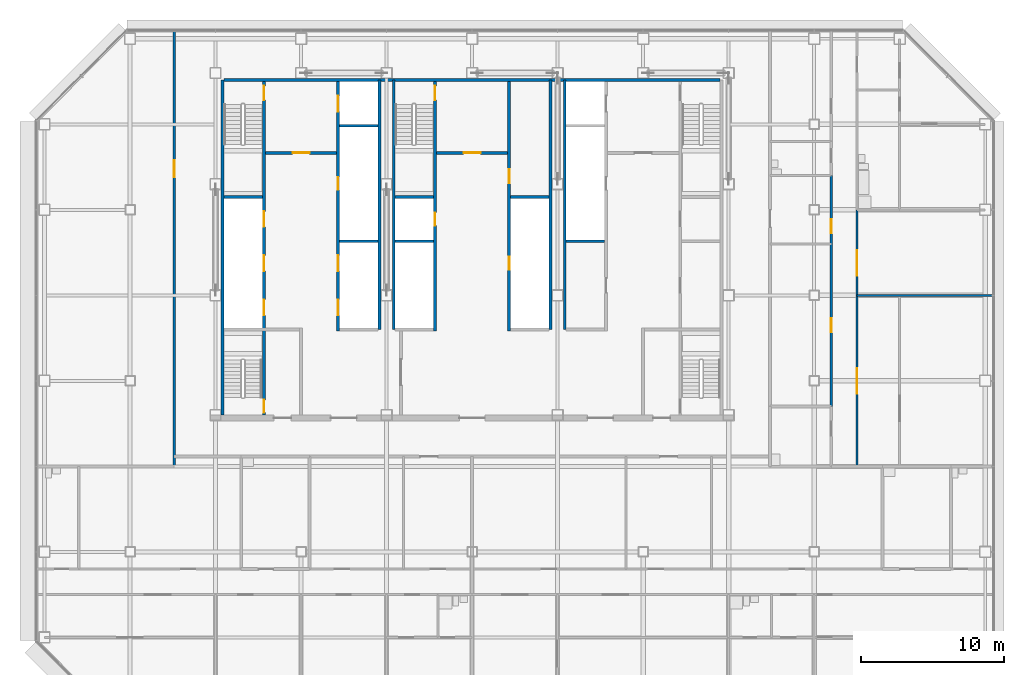
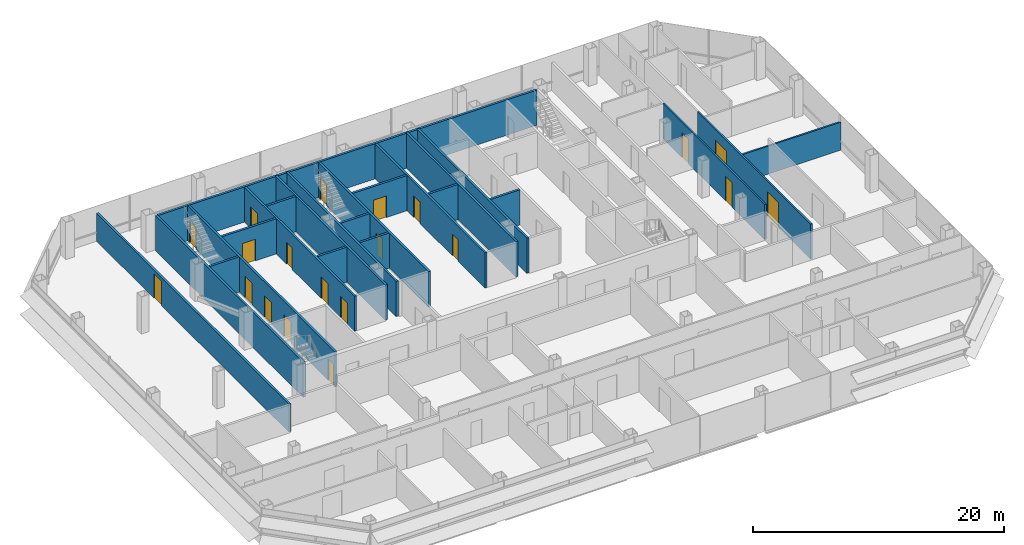
# One storey, part 21 of 25: 23 walls, 20 doors, 20 openings.
"""IFC4 building model written with IfcOpenShell, lengths in metres."""

from ifc_helpers import new_model, si_unit, direction, frame, frame_2d, origin, place, context, subcontext, project, spatial, rectangle, extrude, material, layer, layer_set, type_object, element, fill, save


model = new_model("IFC4")

# Units and contexts
model_context = context("Model", 3, precision=1e-05, world=origin(), true_north=direction((0.0, 1.0)))
body_context = subcontext(model_context, "Body", "Model", "MODEL_VIEW")
ifc_project = project(units=[si_unit("LENGTHUNIT", "METRE"), si_unit("AREAUNIT", "SQUARE_METRE"), si_unit("VOLUMEUNIT", "CUBIC_METRE"), si_unit("PLANEANGLEUNIT", "RADIAN"), si_unit("MASSUNIT", "GRAM", prefix="KILO")], contexts=[model_context])

# Site, building, storey
site_placement = place(None, origin())
site = spatial("IfcSite", under=ifc_project, at=site_placement, CompositionType="ELEMENT")
building_placement = place(site_placement, origin())
building = spatial("IfcBuilding", under=site, at=building_placement, Name="Sorahane Residences", CompositionType="ELEMENT")
storey_placement = place(building_placement, frame((0.0, 0.0, 99.800048828125)))
storey = spatial("IfcBuildingStorey", under=building, at=storey_placement, Name="L21", CompositionType="ELEMENT", Elevation=99.800048828125)

# Walls
ifc_material_1 = material(Name="Concrete C30", Category="concrete")
ifc_layer_1 = layer(ifc_material_1, 0.199951171875)
ifc_layer_set_1 = layer_set([ifc_layer_1], Name="Core face wall 200 EI 180")
wall_type_1 = type_object("IfcWallType", Name="Core face wall 200 EI 180", PredefinedType="SOLIDWALL", material=ifc_layer_set_1)
wall_1_placement = place(storey_placement, frame((6.5, 21.60009765625, 0.0), z_axis=(0.0, 0.0, 1.0), x_axis=(0.0, 1.0, 0.0)))
element("IfcWall", 1, at=wall_1_placement, inside=storey, type_object=wall_type_1, Name="L21 core face wall", PredefinedType="SOLIDWALL", context=body_context, shape_type="SweptSolid", body=[
    extrude(rectangle(XDim=23.5, YDim=0.199951171875, at=frame_2d((11.75, 0.0))), origin(), (0.0, 0.0, 1.0), 3.419921875),
])
wall_2_placement = place(storey_placement, frame((6.60009765625, 45.10009765625, 0.0), z_axis=(0.0, 0.0, 1.0), x_axis=(1.0, 0.0, 0.0)))
element("IfcWall", 2, at=wall_2_placement, inside=storey, type_object=wall_type_1, Name="L21 core face wall", PredefinedType="SOLIDWALL", context=body_context, shape_type="SweptSolid", body=[
    extrude(rectangle(XDim=34.7998046875, YDim=0.199951171875, at=frame_2d((17.39990234375, 0.0))), origin(), (0.0, 0.0, 1.0), 3.419921875),
])
for number, where, z_axis, x_axis, name in (
    (3, (17.5, 27.60009765625, 0.0), (0.0, 0.0, 1.0), (0.0, 1.0, 0.0), "L21 core face wall"),
    (4, (18.5, 27.60009765625, 0.0), (0.0, 0.0, 1.0), (0.0, 1.0, 0.0), "L21 core face wall"),
    (5, (29.5, 27.60009765625, 0.0), (0.0, 0.0, 1.0), (0.0, 1.0, 0.0), "L21 core face wall"),
    (6, (30.5, 27.60009765625, 0.0), (0.0, 0.0, 1.0), (0.0, 1.0, 0.0), "L21 core face wall"),
):
    element("IfcWall", number, at=place(storey_placement, frame(where, z_axis=z_axis, x_axis=x_axis)), inside=storey, type_object=wall_type_1, Name=name, PredefinedType="SOLIDWALL", context=body_context, shape_type="SweptSolid", body=[
        extrude(rectangle(XDim=17.5, YDim=0.199951171875, at=frame_2d((8.75, 0.0))), origin(), (0.0, 0.0, 1.0), 3.419921875),
    ])

# Wall, opening, door
ifc_material_2 = material(Name="Concrete blockwork C20 wall", Category="masonry")
ifc_layer_2 = layer(ifc_material_2, 0.199951171875)
ifc_layer_set_2 = layer_set([ifc_layer_2], Name="Corridor wall 200 EI 120")
wall_type_2 = type_object("IfcWallType", Name="Corridor wall 200 EI 120", PredefinedType="SOLIDWALL", material=ifc_layer_set_2)
wall_3_placement = place(storey_placement, frame((3.10009765625, 18.0, 0.0), z_axis=(0.0, 0.0, 1.0), x_axis=(0.0, 1.0, 0.0)))
wall_3 = element("IfcWall", 7, at=wall_3_placement, inside=storey, type_object=wall_type_2, Name="L21 corridor wall", PredefinedType="SOLIDWALL", context=body_context, shape_type="SweptSolid", body=[
    extrude(rectangle(XDim=30.60009765625, YDim=0.199951171875, at=frame_2d((15.300048828125, 0.0))), origin(), (0.0, 0.0, 1.0), 2.719970703125),
])
opening_1_placement = place(wall_3_placement, frame((20.27001953125, 0.0, 0.0)))
opening_1 = element("IfcOpeningElement", 8, at=opening_1_placement, cuts=wall_3, Name="Opening L21-41", PredefinedType="OPENING", context=body_context, shape_type="SweptSolid", body=[
    extrude(rectangle(XDim=1.199951171875, YDim=2.39990234375, at=frame_2d((0.60009765625, 1.199951171875))), frame((0.0, 0.10986328125, 0.0), z_axis=(0.0, -1.0, 0.0), x_axis=(1.0, 0.0, 0.0)), (0.0, 0.0, 1.0), 0.219970703125),
])
ifc_material_3 = material(Name="Steel", Category="steel")
door_type_1 = type_object("IfcDoorType", Name="Lobby door 1200x2400 FD60", OperationType="NOTDEFINED", PredefinedType="DOOR", material=ifc_material_3)
door_1_placement = place(opening_1_placement, origin())
door_1 = element("IfcDoor", 9, at=door_1_placement, inside=storey, type_object=door_type_1, Name="Lobby door L21-41", OperationType="SINGLE_SWING_LEFT", OverallHeight=2.39990234375, OverallWidth=1.199951171875, PredefinedType="DOOR", context=body_context, shape_type="SweptSolid", body=[
    extrude(rectangle(XDim=1.199951171875, YDim=2.39990234375, at=frame_2d((0.60009765625, 1.199951171875))), frame((0.0, 0.02490234375, 0.0), z_axis=(0.0, -1.0, 0.0), x_axis=(1.0, 0.0, 0.0)), (0.0, 0.0, 1.0), 0.050048828125),
])
fill(opening_1, door_1)

ifc_material_4 = material(Name="Concrete C30", Category="concrete")
ifc_layer_3 = layer(ifc_material_4, 0.199951171875)
ifc_layer_set_3 = layer_set([ifc_layer_3], Name="Front room wall 200 EI 120")
wall_type_3 = type_object("IfcWallType", Name="Front room wall 200 EI 120", PredefinedType="PARTITIONING", material=ifc_layer_set_3)
wall_4_placement = place(storey_placement, frame((21.5, 40.0, 0.0), z_axis=(0.0, 0.0, 1.0), x_axis=(1.0, 0.0, 0.0)))
wall_4 = element("IfcWall", 10, at=wall_4_placement, inside=storey, type_object=wall_type_3, Name="L21 front room wall", PredefinedType="PARTITIONING", context=body_context, shape_type="SweptSolid", body=[
    extrude(rectangle(XDim=5.0, YDim=0.199951171875, at=frame_2d((2.5, 0.0))), origin(), (0.0, 0.0, 1.0), 3.419921875),
])
opening_2_placement = place(wall_4_placement, frame((1.89990234375, 0.0, 0.0)))
opening_2 = element("IfcOpeningElement", 11, at=opening_2_placement, cuts=wall_4, Name="Opening L21-C08", PredefinedType="OPENING", context=body_context, shape_type="SweptSolid", body=[
    extrude(rectangle(XDim=1.199951171875, YDim=2.10009765625, at=frame_2d((0.60009765625, 1.050048828125))), frame((0.0, 0.10986328125, 0.0), z_axis=(0.0, -1.0, 0.0), x_axis=(1.0, 0.0, 0.0)), (0.0, 0.0, 1.0), 0.219970703125),
])
ifc_material_5 = material(Name="Steel", Category="steel")
door_type_2 = type_object("IfcDoorType", Name="Front room door 1200x2100 FD120", OperationType="NOTDEFINED", PredefinedType="DOOR", material=ifc_material_5)
door_2_placement = place(opening_2_placement, frame((1.199951171875, 0.0, 0.0), z_axis=(0.0, 0.0, 1.0), x_axis=(-1.0, 0.0, 0.0)))
door_2 = element("IfcDoor", 12, at=door_2_placement, inside=storey, type_object=door_type_2, Name="Front room door Stair S3 vestibule L21", OperationType="DOUBLE_DOOR_SINGLE_SWING", OverallHeight=2.10009765625, OverallWidth=1.199951171875, PredefinedType="DOOR", context=body_context, shape_type="SweptSolid", body=[
    extrude(rectangle(XDim=1.199951171875, YDim=2.10009765625, at=frame_2d((0.60009765625, 1.050048828125))), frame((0.0, 0.02490234375, 0.0), z_axis=(0.0, -1.0, 0.0), x_axis=(1.0, 0.0, 0.0)), (0.0, 0.0, 1.0), 0.050048828125),
])
fill(opening_2, door_2)

wall_5_placement = place(storey_placement, frame((9.5, 40.0, 0.0), z_axis=(0.0, 0.0, 1.0), x_axis=(1.0, 0.0, 0.0)))
wall_5 = element("IfcWall", 13, at=wall_5_placement, inside=storey, type_object=wall_type_3, Name="L21 front room wall", PredefinedType="PARTITIONING", context=body_context, shape_type="SweptSolid", body=[
    extrude(rectangle(XDim=5.0, YDim=0.199951171875, at=frame_2d((2.5, 0.0))), origin(), (0.0, 0.0, 1.0), 3.419921875),
])
opening_3_placement = place(wall_5_placement, frame((1.89990234375, 0.0, 0.0)))
opening_3 = element("IfcOpeningElement", 14, at=opening_3_placement, cuts=wall_5, Name="Opening L21-C07", PredefinedType="OPENING", context=body_context, shape_type="SweptSolid", body=[
    extrude(rectangle(XDim=1.199951171875, YDim=2.10009765625, at=frame_2d((0.60009765625, 1.050048828125))), frame((0.0, 0.10986328125, 0.0), z_axis=(0.0, -1.0, 0.0), x_axis=(1.0, 0.0, 0.0)), (0.0, 0.0, 1.0), 0.219970703125),
])
door_3_placement = place(opening_3_placement, frame((1.199951171875, 0.0, 0.0), z_axis=(0.0, 0.0, 1.0), x_axis=(-1.0, 0.0, 0.0)))
door_3 = element("IfcDoor", 15, at=door_3_placement, inside=storey, type_object=door_type_2, Name="Front room door Firefighting lobby FF1 front room L21", OperationType="DOUBLE_DOOR_SINGLE_SWING", OverallHeight=2.10009765625, OverallWidth=1.199951171875, PredefinedType="DOOR", context=body_context, shape_type="SweptSolid", body=[
    extrude(rectangle(XDim=1.199951171875, YDim=2.10009765625, at=frame_2d((0.60009765625, 1.050048828125))), frame((0.0, 0.02490234375, 0.0), z_axis=(0.0, -1.0, 0.0), x_axis=(1.0, 0.0, 0.0)), (0.0, 0.0, 1.0), 0.050048828125),
])
fill(opening_3, door_3)

# Wall, openings, doors
ifc_material_6 = material(Name="Concrete C30", Category="concrete")
ifc_layer_4 = layer(ifc_material_6, 0.199951171875)
ifc_layer_set_4 = layer_set([ifc_layer_4], Name="Lift shaft wall 200 EI 120")
wall_type_4 = type_object("IfcWallType", Name="Lift shaft wall 200 EI 120", PredefinedType="SOLIDWALL", material=ifc_layer_set_4)
wall_6_placement = place(storey_placement, frame((14.60009765625, 27.5, 0.0), z_axis=(0.0, 0.0, 1.0), x_axis=(0.0, 1.0, 0.0)))
wall_6 = element("IfcWall", 16, at=wall_6_placement, inside=storey, type_object=wall_type_4, Name="L21 lift shaft wall", PredefinedType="SOLIDWALL", context=body_context, shape_type="SweptSolid", body=[
    extrude(rectangle(XDim=17.5, YDim=0.199951171875, at=frame_2d((8.75, 0.0))), origin(), (0.0, 0.0, 1.0), 3.419921875),
])
opening_4_placement = place(wall_6_placement, frame((1.10009765625, 0.0, 0.0)))
opening_4 = element("IfcOpeningElement", 17, at=opening_4_placement, cuts=wall_6, Name="Opening L21-C11", PredefinedType="OPENING", context=body_context, shape_type="SweptSolid", body=[
    extrude(rectangle(XDim=1.10009765625, YDim=2.10009765625, at=frame_2d((0.550048828125, 1.050048828125))), frame((0.0, 0.10986328125, 0.0), z_axis=(0.0, -1.0, 0.0), x_axis=(1.0, 0.0, 0.0)), (0.0, 0.0, 1.0), 0.219970703125),
])
opening_5_placement = place(wall_6_placement, frame((4.199951171875, 0.0, 0.0)))
opening_5 = element("IfcOpeningElement", 18, at=opening_5_placement, cuts=wall_6, Name="Opening L21-C12", PredefinedType="OPENING", context=body_context, shape_type="SweptSolid", body=[
    extrude(rectangle(XDim=1.10009765625, YDim=2.10009765625, at=frame_2d((0.550048828125, 1.050048828125))), frame((0.0, 0.10986328125, 0.0), z_axis=(0.0, -1.0, 0.0), x_axis=(1.0, 0.0, 0.0)), (0.0, 0.0, 1.0), 0.219970703125),
])
opening_6_placement = place(wall_6_placement, frame((15.39990234375, 0.0, 0.0)))
opening_6 = element("IfcOpeningElement", 19, at=opening_6_placement, cuts=wall_6, Name="Opening L21-C13", PredefinedType="OPENING", context=body_context, shape_type="SweptSolid", body=[
    extrude(rectangle(XDim=1.10009765625, YDim=2.10009765625, at=frame_2d((0.550048828125, 1.050048828125))), frame((0.0, 0.10986328125, 0.0), z_axis=(0.0, -1.0, 0.0), x_axis=(1.0, 0.0, 0.0)), (0.0, 0.0, 1.0), 0.219970703125),
])
opening_7_placement = place(wall_6_placement, frame((9.89990234375, 0.0, 0.0)))
opening_7 = element("IfcOpeningElement", 20, at=opening_7_placement, cuts=wall_6, Name="Opening L21-C25", PredefinedType="OPENING", context=body_context, shape_type="SweptSolid", body=[
    extrude(rectangle(XDim=0.89990234375, YDim=2.10009765625, at=frame_2d((0.449951171875, 1.050048828125))), frame((0.0, 0.10986328125, 0.0), z_axis=(0.0, -1.0, 0.0), x_axis=(1.0, 0.0, 0.0)), (0.0, 0.0, 1.0), 0.219970703125),
])
ifc_material_7 = material(Name="Aluminium and stainless steel", Category="steel")
door_type_3 = type_object("IfcDoorType", Name="Lift landing door 1100x2100 E 60", OperationType="NOTDEFINED", PredefinedType="DOOR", material=ifc_material_7)
door_4_placement = place(opening_4_placement, origin())
door_4 = element("IfcDoor", 21, at=door_4_placement, inside=storey, type_object=door_type_3, Name="Lift landing door LR4 L21", OperationType="DOUBLE_DOOR_SLIDING", OverallHeight=2.10009765625, OverallWidth=1.10009765625, PredefinedType="DOOR", context=body_context, shape_type="SweptSolid", body=[
    extrude(rectangle(XDim=1.10009765625, YDim=2.10009765625, at=frame_2d((0.550048828125, 1.050048828125))), frame((0.0, 0.02490234375, 0.0), z_axis=(0.0, -1.0, 0.0), x_axis=(1.0, 0.0, 0.0)), (0.0, 0.0, 1.0), 0.050048828125),
])
fill(opening_4, door_4)
door_5_placement = place(opening_5_placement, origin())
door_5 = element("IfcDoor", 22, at=door_5_placement, inside=storey, type_object=door_type_3, Name="Lift landing door LR5 L21", OperationType="DOUBLE_DOOR_SLIDING", OverallHeight=2.10009765625, OverallWidth=1.10009765625, PredefinedType="DOOR", context=body_context, shape_type="SweptSolid", body=[
    extrude(rectangle(XDim=1.10009765625, YDim=2.10009765625, at=frame_2d((0.550048828125, 1.050048828125))), frame((0.0, 0.02490234375, 0.0), z_axis=(0.0, -1.0, 0.0), x_axis=(1.0, 0.0, 0.0)), (0.0, 0.0, 1.0), 0.050048828125),
])
fill(opening_5, door_5)
door_6_placement = place(opening_6_placement, origin())
door_6 = element("IfcDoor", 23, at=door_6_placement, inside=storey, type_object=door_type_3, Name="Lift landing door FF1 L21", OperationType="DOUBLE_DOOR_SLIDING", OverallHeight=2.10009765625, OverallWidth=1.10009765625, PredefinedType="DOOR", context=body_context, shape_type="SweptSolid", body=[
    extrude(rectangle(XDim=1.10009765625, YDim=2.10009765625, at=frame_2d((0.550048828125, 1.050048828125))), frame((0.0, 0.02490234375, 0.0), z_axis=(0.0, -1.0, 0.0), x_axis=(1.0, 0.0, 0.0)), (0.0, 0.0, 1.0), 0.050048828125),
])
fill(opening_6, door_6)
ifc_material_8 = material(Name="Steel", Category="steel")
door_type_4 = type_object("IfcDoorType", Name="Riser door 900x2100 FD120", OperationType="NOTDEFINED", PredefinedType="DOOR", material=ifc_material_8)
door_7_placement = place(opening_7_placement, origin())
door_7 = element("IfcDoor", 24, at=door_7_placement, inside=storey, type_object=door_type_4, Name="Riser door R1 L21", OperationType="SINGLE_SWING_LEFT", OverallHeight=2.10009765625, OverallWidth=0.89990234375, PredefinedType="DOOR", context=body_context, shape_type="SweptSolid", body=[
    extrude(rectangle(XDim=0.89990234375, YDim=2.10009765625, at=frame_2d((0.449951171875, 1.050048828125))), frame((0.0, 0.02490234375, 0.0), z_axis=(0.0, -1.0, 0.0), x_axis=(1.0, 0.0, 0.0)), (0.0, 0.0, 1.0), 0.050048828125),
])
fill(opening_7, door_7)

# Walls
for number, where, z_axis, x_axis, name in (
    (25, (14.699951171875, 33.800048828125, 0.0), (0.0, 0.0, 1.0), (1.0, 0.0, 0.0), "L21 lift shaft wall"),
    (26, (18.60009765625, 33.800048828125, 0.0), (0.0, 0.0, 1.0), (1.0, 0.0, 0.0), "L21 lift shaft wall"),
    (27, (14.699951171875, 41.89990234375, 0.0), (0.0, 0.0, 1.0), (1.0, 0.0, 0.0), "L21 lift shaft wall"),
):
    element("IfcWall", number, at=place(storey_placement, frame(where, z_axis=z_axis, x_axis=x_axis)), inside=storey, type_object=wall_type_4, Name=name, PredefinedType="SOLIDWALL", context=body_context, shape_type="SweptSolid", body=[
        extrude(rectangle(XDim=2.699951171875, YDim=0.199951171875, at=frame_2d((1.35009765625, 0.0))), origin(), (0.0, 0.0, 1.0), 3.419921875),
    ])

# Wall, openings, doors
ifc_material_9 = material(Name="Gypsum board partition on steel studs", Category="steel")
ifc_layer_5 = layer(ifc_material_9, 0.14990234375)
ifc_layer_set_5 = layer_set([ifc_layer_5], Name="Partition 150 EI 90")
wall_type_5 = type_object("IfcWallType", Name="Partition 150 EI 90", PredefinedType="PARTITIONING", material=ifc_layer_set_5)
wall_7_placement = place(storey_placement, frame((49.199951171875, 22.199951171875, 0.0), z_axis=(0.0, 0.0, 1.0), x_axis=(0.0, 1.0, 0.0)))
wall_7 = element("IfcWall", 28, at=wall_7_placement, inside=storey, type_object=wall_type_5, Name="L21 partition", PredefinedType="PARTITIONING", context=body_context, shape_type="SweptSolid", body=[
    extrude(rectangle(XDim=16.199951171875, YDim=0.14990234375, at=frame_2d((8.10009765625, 0.0))), origin(), (0.0, 0.0, 1.0), 3.419921875),
])
opening_8_placement = place(wall_7_placement, frame((12.14990234375, 0.0, 0.0)))
opening_8 = element("IfcOpeningElement", 29, at=opening_8_placement, cuts=wall_7, Name="Opening L21-26", PredefinedType="OPENING", context=body_context, shape_type="SweptSolid", body=[
    extrude(rectangle(XDim=1.0, YDim=2.39990234375, at=frame_2d((0.5, 1.199951171875))), frame((0.0, 0.0849609375, 0.0), z_axis=(0.0, -1.0, 0.0), x_axis=(1.0, 0.0, 0.0)), (0.0, 0.0, 1.0), 0.169921875),
])
opening_9_placement = place(wall_7_placement, frame((5.199951171875, 0.0, 0.0)))
opening_9 = element("IfcOpeningElement", 30, at=opening_9_placement, cuts=wall_7, Name="Opening L21-28", PredefinedType="OPENING", context=body_context, shape_type="SweptSolid", body=[
    extrude(rectangle(XDim=1.0, YDim=2.39990234375, at=frame_2d((0.5, 1.199951171875))), frame((0.0, 0.0849609375, 0.0), z_axis=(0.0, -1.0, 0.0), x_axis=(1.0, 0.0, 0.0)), (0.0, 0.0, 1.0), 0.169921875),
])
ifc_material_10 = material(Name="Timber veneered fire door", Category="wood")
door_type_5 = type_object("IfcDoorType", Name="Room door 1000x2400 FD30", OperationType="NOTDEFINED", PredefinedType="DOOR", material=ifc_material_10)
door_8_placement = place(opening_8_placement, frame((1.0, 0.0, 0.0), z_axis=(0.0, 0.0, 1.0), x_axis=(-1.0, 0.0, 0.0)))
door_8 = element("IfcDoor", 31, at=door_8_placement, inside=storey, type_object=door_type_5, Name="Room door L21-26", OperationType="SINGLE_SWING_LEFT", OverallHeight=2.39990234375, OverallWidth=1.0, PredefinedType="DOOR", context=body_context, shape_type="SweptSolid", body=[
    extrude(rectangle(XDim=1.0, YDim=2.39990234375, at=frame_2d((0.5, 1.199951171875))), frame((0.0, 0.02490234375, 0.0), z_axis=(0.0, -1.0, 0.0), x_axis=(1.0, 0.0, 0.0)), (0.0, 0.0, 1.0), 0.050048828125),
])
fill(opening_8, door_8)
door_9_placement = place(opening_9_placement, origin())
door_9 = element("IfcDoor", 32, at=door_9_placement, inside=storey, type_object=door_type_5, Name="Room door L21-28", OperationType="SINGLE_SWING_RIGHT", OverallHeight=2.39990234375, OverallWidth=1.0, PredefinedType="DOOR", context=body_context, shape_type="SweptSolid", body=[
    extrude(rectangle(XDim=1.0, YDim=2.39990234375, at=frame_2d((0.5, 1.199951171875))), frame((0.0, 0.02490234375, 0.0), z_axis=(0.0, -1.0, 0.0), x_axis=(1.0, 0.0, 0.0)), (0.0, 0.0, 1.0), 0.050048828125),
])
fill(opening_9, door_9)

wall_8_placement = place(storey_placement, frame((51.0, 18.0, 0.0), z_axis=(0.0, 0.0, 1.0), x_axis=(0.0, 1.0, 0.0)))
wall_8 = element("IfcWall", 33, at=wall_8_placement, inside=storey, type_object=wall_type_5, Name="L21 partition", PredefinedType="PARTITIONING", context=body_context, shape_type="SweptSolid", body=[
    extrude(rectangle(XDim=18.0, YDim=0.14990234375, at=frame_2d((9.0, 0.0))), origin(), (0.0, 0.0, 1.0), 3.419921875),
])
opening_10_placement = place(wall_8_placement, frame((5.10009765625, 0.0, 0.0)))
opening_10 = element("IfcOpeningElement", 34, at=opening_10_placement, cuts=wall_8, Name="Opening L21-31", PredefinedType="OPENING", context=body_context, shape_type="SweptSolid", body=[
    extrude(rectangle(XDim=1.800048828125, YDim=2.39990234375, at=frame_2d((0.89990234375, 1.199951171875))), frame((0.0, 0.0849609375, 0.0), z_axis=(0.0, -1.0, 0.0), x_axis=(1.0, 0.0, 0.0)), (0.0, 0.0, 1.0), 0.169921875),
])
opening_11_placement = place(wall_8_placement, frame((13.360107421875, 0.0, 0.0)))
opening_11 = element("IfcOpeningElement", 35, at=opening_11_placement, cuts=wall_8, Name="Opening L21-32", PredefinedType="OPENING", context=body_context, shape_type="SweptSolid", body=[
    extrude(rectangle(XDim=1.800048828125, YDim=2.39990234375, at=frame_2d((0.89990234375, 1.199951171875))), frame((0.0, 0.0849609375, 0.0), z_axis=(0.0, -1.0, 0.0), x_axis=(1.0, 0.0, 0.0)), (0.0, 0.0, 1.0), 0.169921875),
])
ifc_material_11 = material(Name="Timber veneered fire door", Category="wood")
door_type_6 = type_object("IfcDoorType", Name="Double door 1800x2400 FD30", OperationType="NOTDEFINED", PredefinedType="DOOR", material=ifc_material_11)
door_10_placement = place(opening_10_placement, frame((1.800048828125, 0.0, 0.0), z_axis=(0.0, 0.0, 1.0), x_axis=(-1.0, 0.0, 0.0)))
door_10 = element("IfcDoor", 36, at=door_10_placement, inside=storey, type_object=door_type_6, Name="Double door L21-31", OperationType="SINGLE_SWING_RIGHT", OverallHeight=2.39990234375, OverallWidth=1.800048828125, PredefinedType="DOOR", context=body_context, shape_type="SweptSolid", body=[
    extrude(rectangle(XDim=1.800048828125, YDim=2.39990234375, at=frame_2d((0.89990234375, 1.199951171875))), frame((0.0, 0.02490234375, 0.0), z_axis=(0.0, -1.0, 0.0), x_axis=(1.0, 0.0, 0.0)), (0.0, 0.0, 1.0), 0.050048828125),
])
fill(opening_10, door_10)
door_11_placement = place(opening_11_placement, frame((1.800048828125, 0.0, 0.0), z_axis=(0.0, 0.0, 1.0), x_axis=(-1.0, 0.0, 0.0)))
door_11 = element("IfcDoor", 37, at=door_11_placement, inside=storey, type_object=door_type_6, Name="Double door L21-32", OperationType="SINGLE_SWING_LEFT", OverallHeight=2.39990234375, OverallWidth=1.800048828125, PredefinedType="DOOR", context=body_context, shape_type="SweptSolid", body=[
    extrude(rectangle(XDim=1.800048828125, YDim=2.39990234375, at=frame_2d((0.89990234375, 1.199951171875))), frame((0.0, 0.02490234375, 0.0), z_axis=(0.0, -1.0, 0.0), x_axis=(1.0, 0.0, 0.0)), (0.0, 0.0, 1.0), 0.050048828125),
])
fill(opening_11, door_11)

# Wall
wall_9_placement = place(storey_placement, frame((51.0, 30.0, 0.0), z_axis=(0.0, 0.0, 1.0), x_axis=(1.0, 0.0, 0.0)))
element("IfcWall", 38, at=wall_9_placement, inside=storey, type_object=wall_type_5, Name="L21 partition", PredefinedType="PARTITIONING", context=body_context, shape_type="SweptSolid", body=[
    extrude(rectangle(XDim=9.60009765625, YDim=0.14990234375, at=frame_2d((4.800048828125, 0.0))), origin(), (0.0, 0.0, 1.0), 2.719970703125),
])

# Wall, openings, doors
ifc_material_12 = material(Name="Concrete C30", Category="concrete")
ifc_layer_6 = layer(ifc_material_12, 0.199951171875)
ifc_layer_set_6 = layer_set([ifc_layer_6], Name="Riser shaft wall 200 EI 120")
wall_type_6 = type_object("IfcWallType", Name="Riser shaft wall 200 EI 120", PredefinedType="SOLIDWALL", material=ifc_layer_set_6)
wall_10_placement = place(storey_placement, frame((26.60009765625, 27.5, 0.0), z_axis=(0.0, 0.0, 1.0), x_axis=(0.0, 1.0, 0.0)))
wall_10 = element("IfcWall", 39, at=wall_10_placement, inside=storey, type_object=wall_type_6, Name="L21 riser wall", PredefinedType="SOLIDWALL", context=body_context, shape_type="SweptSolid", body=[
    extrude(rectangle(XDim=17.5, YDim=0.199951171875, at=frame_2d((8.75, 0.0))), origin(), (0.0, 0.0, 1.0), 3.419921875),
])
opening_12_placement = place(wall_10_placement, frame((4.300048828125, 0.0, 0.0)))
opening_12 = element("IfcOpeningElement", 40, at=opening_12_placement, cuts=wall_10, Name="Opening L21-C28", PredefinedType="OPENING", context=body_context, shape_type="SweptSolid", body=[
    extrude(rectangle(XDim=0.89990234375, YDim=2.10009765625, at=frame_2d((0.449951171875, 1.050048828125))), frame((0.0, 0.10986328125, 0.0), z_axis=(0.0, -1.0, 0.0), x_axis=(1.0, 0.0, 0.0)), (0.0, 0.0, 1.0), 0.219970703125),
])
opening_13_placement = place(wall_10_placement, frame((10.35009765625, 0.0, 0.0)))
opening_13 = element("IfcOpeningElement", 41, at=opening_13_placement, cuts=wall_10, Name="Opening L21-C29", PredefinedType="OPENING", context=body_context, shape_type="SweptSolid", body=[
    extrude(rectangle(XDim=1.0, YDim=2.10009765625, at=frame_2d((0.5, 1.050048828125))), frame((0.0, 0.10986328125, 0.0), z_axis=(0.0, -1.0, 0.0), x_axis=(1.0, 0.0, 0.0)), (0.0, 0.0, 1.0), 0.219970703125),
])
door_12_placement = place(opening_12_placement, origin())
door_12 = element("IfcDoor", 42, at=door_12_placement, inside=storey, type_object=door_type_4, Name="Riser door R4 L21", OperationType="SINGLE_SWING_LEFT", OverallHeight=2.10009765625, OverallWidth=0.89990234375, PredefinedType="DOOR", context=body_context, shape_type="SweptSolid", body=[
    extrude(rectangle(XDim=0.89990234375, YDim=2.10009765625, at=frame_2d((0.449951171875, 1.050048828125))), frame((0.0, 0.02490234375, 0.0), z_axis=(0.0, -1.0, 0.0), x_axis=(1.0, 0.0, 0.0)), (0.0, 0.0, 1.0), 0.050048828125),
])
fill(opening_12, door_12)
ifc_material_13 = material(Name="Steel", Category="steel")
door_type_7 = type_object("IfcDoorType", Name="Service room door 1000x2100 FD60", OperationType="NOTDEFINED", PredefinedType="DOOR", material=ifc_material_13)
door_13_placement = place(opening_13_placement, frame((1.0, 0.0, 0.0), z_axis=(0.0, 0.0, 1.0), x_axis=(-1.0, 0.0, 0.0)))
door_13 = element("IfcDoor", 43, at=door_13_placement, inside=storey, type_object=door_type_7, Name="Service room door Housekeeping store L21", OperationType="SINGLE_SWING_LEFT", OverallHeight=2.10009765625, OverallWidth=1.0, PredefinedType="DOOR", context=body_context, shape_type="SweptSolid", body=[
    extrude(rectangle(XDim=1.0, YDim=2.10009765625, at=frame_2d((0.5, 1.050048828125))), frame((0.0, 0.02490234375, 0.0), z_axis=(0.0, -1.0, 0.0), x_axis=(1.0, 0.0, 0.0)), (0.0, 0.0, 1.0), 0.050048828125),
])
fill(opening_13, door_13)

# Walls
for number, where, z_axis, x_axis, name in (
    (44, (30.60009765625, 33.800048828125, 0.0), (0.0, 0.0, 1.0), (1.0, 0.0, 0.0), "L21 riser wall"),
    (45, (26.699951171875, 36.89990234375, 0.0), (0.0, 0.0, 1.0), (1.0, 0.0, 0.0), "L21 riser wall"),
):
    element("IfcWall", number, at=place(storey_placement, frame(where, z_axis=z_axis, x_axis=x_axis)), inside=storey, type_object=wall_type_6, Name=name, PredefinedType="SOLIDWALL", context=body_context, shape_type="SweptSolid", body=[
        extrude(rectangle(XDim=2.699951171875, YDim=0.199951171875, at=frame_2d((1.35009765625, 0.0))), origin(), (0.0, 0.0, 1.0), 3.419921875),
    ])

# Wall, openings, doors
ifc_material_14 = material(Name="Concrete C30", Category="concrete")
ifc_layer_7 = layer(ifc_material_14, 0.199951171875)
ifc_layer_set_7 = layer_set([ifc_layer_7], Name="Stair enclosure wall 200 EI 120")
wall_type_7 = type_object("IfcWallType", Name="Stair enclosure wall 200 EI 120", PredefinedType="SOLIDWALL", material=ifc_layer_set_7)
wall_11_placement = place(storey_placement, frame((21.39990234375, 27.5, 0.0), z_axis=(0.0, 0.0, 1.0), x_axis=(0.0, 1.0, 0.0)))
wall_11 = element("IfcWall", 46, at=wall_11_placement, inside=storey, type_object=wall_type_7, Name="L21 stair enclosure wall", PredefinedType="SOLIDWALL", context=body_context, shape_type="SweptSolid", body=[
    extrude(rectangle(XDim=17.5, YDim=0.199951171875, at=frame_2d((8.75, 0.0))), origin(), (0.0, 0.0, 1.0), 3.419921875),
])
opening_14_placement = place(wall_11_placement, frame((16.199951171875, 0.0, 0.0)))
opening_14 = element("IfcOpeningElement", 47, at=opening_14_placement, cuts=wall_11, Name="Opening L21-C22", PredefinedType="OPENING", context=body_context, shape_type="SweptSolid", body=[
    extrude(rectangle(XDim=1.0, YDim=2.10009765625, at=frame_2d((0.5, 1.050048828125))), frame((0.0, 0.10986328125, 0.0), z_axis=(0.0, -1.0, 0.0), x_axis=(1.0, 0.0, 0.0)), (0.0, 0.0, 1.0), 0.219970703125),
])
opening_15_placement = place(wall_11_placement, frame((7.39990234375, 0.0, 0.0)))
opening_15 = element("IfcOpeningElement", 48, at=opening_15_placement, cuts=wall_11, Name="Opening L21-C27", PredefinedType="OPENING", context=body_context, shape_type="SweptSolid", body=[
    extrude(rectangle(XDim=0.89990234375, YDim=2.10009765625, at=frame_2d((0.449951171875, 1.050048828125))), frame((0.0, 0.10986328125, 0.0), z_axis=(0.0, -1.0, 0.0), x_axis=(1.0, 0.0, 0.0)), (0.0, 0.0, 1.0), 0.219970703125),
])
door_14_placement = place(opening_15_placement, frame((0.89990234375, 0.0, 0.0), z_axis=(0.0, 0.0, 1.0), x_axis=(-1.0, 0.0, 0.0)))
door_14 = element("IfcDoor", 49, at=door_14_placement, inside=storey, type_object=door_type_4, Name="Riser door R3 L21", OperationType="SINGLE_SWING_LEFT", OverallHeight=2.10009765625, OverallWidth=0.89990234375, PredefinedType="DOOR", context=body_context, shape_type="SweptSolid", body=[
    extrude(rectangle(XDim=0.89990234375, YDim=2.10009765625, at=frame_2d((0.449951171875, 1.050048828125))), frame((0.0, 0.02490234375, 0.0), z_axis=(0.0, -1.0, 0.0), x_axis=(1.0, 0.0, 0.0)), (0.0, 0.0, 1.0), 0.050048828125),
])
fill(opening_15, door_14)
ifc_material_15 = material(Name="Steel", Category="steel")
door_type_8 = type_object("IfcDoorType", Name="Stair door 1000x2100 FD120", OperationType="NOTDEFINED", PredefinedType="DOOR", material=ifc_material_15)
door_15_placement = place(opening_14_placement, origin())
door_15 = element("IfcDoor", 50, at=door_15_placement, inside=storey, type_object=door_type_8, Name="Stair door S3 L21", OperationType="SINGLE_SWING_LEFT", OverallHeight=2.10009765625, OverallWidth=1.0, PredefinedType="DOOR", context=body_context, shape_type="SweptSolid", body=[
    extrude(rectangle(XDim=1.0, YDim=2.10009765625, at=frame_2d((0.5, 1.050048828125))), frame((0.0, 0.02490234375, 0.0), z_axis=(0.0, -1.0, 0.0), x_axis=(1.0, 0.0, 0.0)), (0.0, 0.0, 1.0), 0.050048828125),
])
fill(opening_14, door_15)

wall_12_placement = place(storey_placement, frame((9.39990234375, 21.60009765625, 0.0), z_axis=(0.0, 0.0, 1.0), x_axis=(0.0, 1.0, 0.0)))
wall_12 = element("IfcWall", 51, at=wall_12_placement, inside=storey, type_object=wall_type_7, Name="L21 stair enclosure wall", PredefinedType="SOLIDWALL", context=body_context, shape_type="SweptSolid", body=[
    extrude(rectangle(XDim=23.39990234375, YDim=0.199951171875, at=frame_2d((11.699951171875, 0.0))), origin(), (0.0, 0.0, 1.0), 3.419921875),
])
opening_16_placement = place(wall_12_placement, frame((7.0, 0.0, 0.0)))
opening_16 = element("IfcOpeningElement", 52, at=opening_16_placement, cuts=wall_12, Name="Opening L21-C14", PredefinedType="OPENING", context=body_context, shape_type="SweptSolid", body=[
    extrude(rectangle(XDim=1.10009765625, YDim=2.10009765625, at=frame_2d((0.550048828125, 1.050048828125))), frame((0.0, 0.10986328125, 0.0), z_axis=(0.0, -1.0, 0.0), x_axis=(1.0, 0.0, 0.0)), (0.0, 0.0, 1.0), 0.219970703125),
])
opening_17_placement = place(wall_12_placement, frame((10.10009765625, 0.0, 0.0)))
opening_17 = element("IfcOpeningElement", 53, at=opening_17_placement, cuts=wall_12, Name="Opening L21-C15", PredefinedType="OPENING", context=body_context, shape_type="SweptSolid", body=[
    extrude(rectangle(XDim=1.10009765625, YDim=2.10009765625, at=frame_2d((0.550048828125, 1.050048828125))), frame((0.0, 0.10986328125, 0.0), z_axis=(0.0, -1.0, 0.0), x_axis=(1.0, 0.0, 0.0)), (0.0, 0.0, 1.0), 0.219970703125),
])
opening_18_placement = place(wall_12_placement, frame((13.199951171875, 0.0, 0.0)))
opening_18 = element("IfcOpeningElement", 54, at=opening_18_placement, cuts=wall_12, Name="Opening L21-C16", PredefinedType="OPENING", context=body_context, shape_type="SweptSolid", body=[
    extrude(rectangle(XDim=1.10009765625, YDim=2.10009765625, at=frame_2d((0.550048828125, 1.050048828125))), frame((0.0, 0.10986328125, 0.0), z_axis=(0.0, -1.0, 0.0), x_axis=(1.0, 0.0, 0.0)), (0.0, 0.0, 1.0), 0.219970703125),
])
opening_19_placement = place(wall_12_placement, frame((22.10009765625, 0.0, 0.0)))
opening_19 = element("IfcOpeningElement", 55, at=opening_19_placement, cuts=wall_12, Name="Opening L21-C20", PredefinedType="OPENING", context=body_context, shape_type="SweptSolid", body=[
    extrude(rectangle(XDim=1.0, YDim=2.10009765625, at=frame_2d((0.5, 1.050048828125))), frame((0.0, 0.10986328125, 0.0), z_axis=(0.0, -1.0, 0.0), x_axis=(1.0, 0.0, 0.0)), (0.0, 0.0, 1.0), 0.219970703125),
])
opening_20_placement = place(wall_12_placement, frame((0.175048828125, 0.0, 0.0)))
opening_20 = element("IfcOpeningElement", 56, at=opening_20_placement, cuts=wall_12, Name="Opening L21-C23", PredefinedType="OPENING", context=body_context, shape_type="SweptSolid", body=[
    extrude(rectangle(XDim=0.89990234375, YDim=2.10009765625, at=frame_2d((0.449951171875, 1.050048828125))), frame((0.0, 0.10986328125, 0.0), z_axis=(0.0, -1.0, 0.0), x_axis=(1.0, 0.0, 0.0)), (0.0, 0.0, 1.0), 0.219970703125),
])
door_16_placement = place(opening_16_placement, origin())
door_16 = element("IfcDoor", 57, at=door_16_placement, inside=storey, type_object=door_type_3, Name="Lift landing door LR1 L21", OperationType="DOUBLE_DOOR_SLIDING", OverallHeight=2.10009765625, OverallWidth=1.10009765625, PredefinedType="DOOR", context=body_context, shape_type="SweptSolid", body=[
    extrude(rectangle(XDim=1.10009765625, YDim=2.10009765625, at=frame_2d((0.550048828125, 1.050048828125))), frame((0.0, 0.02490234375, 0.0), z_axis=(0.0, -1.0, 0.0), x_axis=(1.0, 0.0, 0.0)), (0.0, 0.0, 1.0), 0.050048828125),
])
fill(opening_16, door_16)
door_17_placement = place(opening_17_placement, origin())
door_17 = element("IfcDoor", 58, at=door_17_placement, inside=storey, type_object=door_type_3, Name="Lift landing door LR2 L21", OperationType="DOUBLE_DOOR_SLIDING", OverallHeight=2.10009765625, OverallWidth=1.10009765625, PredefinedType="DOOR", context=body_context, shape_type="SweptSolid", body=[
    extrude(rectangle(XDim=1.10009765625, YDim=2.10009765625, at=frame_2d((0.550048828125, 1.050048828125))), frame((0.0, 0.02490234375, 0.0), z_axis=(0.0, -1.0, 0.0), x_axis=(1.0, 0.0, 0.0)), (0.0, 0.0, 1.0), 0.050048828125),
])
fill(opening_17, door_17)
door_18_placement = place(opening_18_placement, origin())
door_18 = element("IfcDoor", 59, at=door_18_placement, inside=storey, type_object=door_type_3, Name="Lift landing door LR3 L21", OperationType="DOUBLE_DOOR_SLIDING", OverallHeight=2.10009765625, OverallWidth=1.10009765625, PredefinedType="DOOR", context=body_context, shape_type="SweptSolid", body=[
    extrude(rectangle(XDim=1.10009765625, YDim=2.10009765625, at=frame_2d((0.550048828125, 1.050048828125))), frame((0.0, 0.02490234375, 0.0), z_axis=(0.0, -1.0, 0.0), x_axis=(1.0, 0.0, 0.0)), (0.0, 0.0, 1.0), 0.050048828125),
])
fill(opening_18, door_18)
door_19_placement = place(opening_19_placement, origin())
door_19 = element("IfcDoor", 60, at=door_19_placement, inside=storey, type_object=door_type_8, Name="Stair door S1 L21", OperationType="SINGLE_SWING_LEFT", OverallHeight=2.10009765625, OverallWidth=1.0, PredefinedType="DOOR", context=body_context, shape_type="SweptSolid", body=[
    extrude(rectangle(XDim=1.0, YDim=2.10009765625, at=frame_2d((0.5, 1.050048828125))), frame((0.0, 0.02490234375, 0.0), z_axis=(0.0, -1.0, 0.0), x_axis=(1.0, 0.0, 0.0)), (0.0, 0.0, 1.0), 0.050048828125),
])
fill(opening_19, door_19)
ifc_material_16 = material(Name="Steel", Category="steel")
door_type_9 = type_object("IfcDoorType", Name="Stair door 900x2100 FD120", OperationType="NOTDEFINED", PredefinedType="DOOR", material=ifc_material_16)
door_20_placement = place(opening_20_placement, origin())
door_20 = element("IfcDoor", 61, at=door_20_placement, inside=storey, type_object=door_type_9, Name="Stair door S4 L21", OperationType="SINGLE_SWING_LEFT", OverallHeight=2.10009765625, OverallWidth=0.89990234375, PredefinedType="DOOR", context=body_context, shape_type="SweptSolid", body=[
    extrude(rectangle(XDim=0.89990234375, YDim=2.10009765625, at=frame_2d((0.449951171875, 1.050048828125))), frame((0.0, 0.02490234375, 0.0), z_axis=(0.0, -1.0, 0.0), x_axis=(1.0, 0.0, 0.0)), (0.0, 0.0, 1.0), 0.050048828125),
])
fill(opening_20, door_20)

# Walls
for number, where, z_axis, x_axis, name in (
    (62, (18.60009765625, 36.89990234375, 0.0), (0.0, 0.0, 1.0), (1.0, 0.0, 0.0), "L21 stair enclosure wall"),
    (63, (6.60009765625, 36.89990234375, 0.0), (0.0, 0.0, 1.0), (1.0, 0.0, 0.0), "L21 stair enclosure wall"),
):
    element("IfcWall", number, at=place(storey_placement, frame(where, z_axis=z_axis, x_axis=x_axis)), inside=storey, type_object=wall_type_7, Name=name, PredefinedType="SOLIDWALL", context=body_context, shape_type="SweptSolid", body=[
        extrude(rectangle(XDim=2.699951171875, YDim=0.199951171875, at=frame_2d((1.35009765625, 0.0))), origin(), (0.0, 0.0, 1.0), 3.419921875),
    ])

save(model, "model.ifc")
